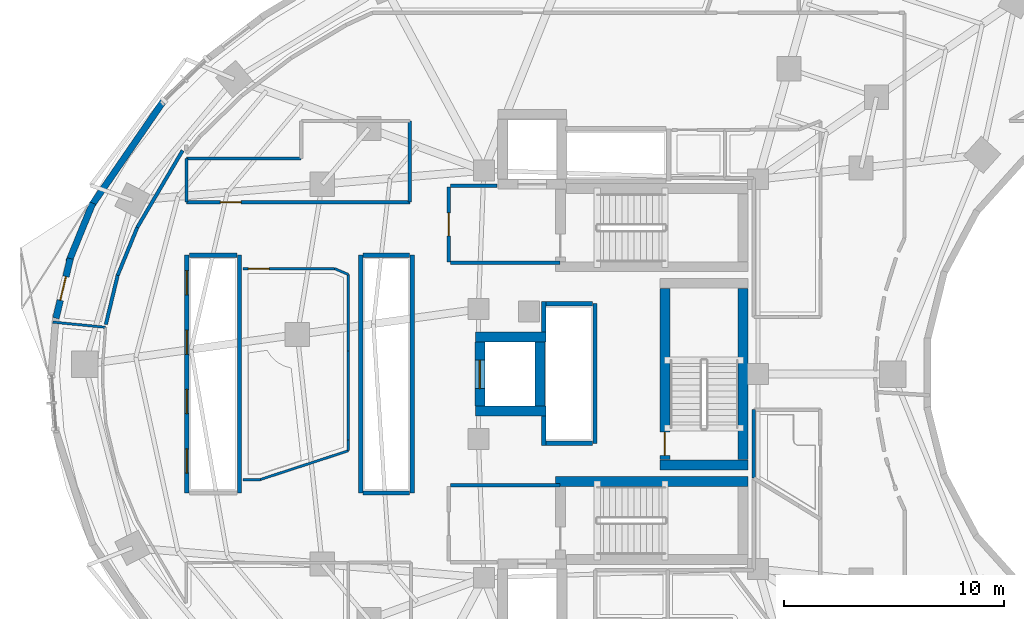
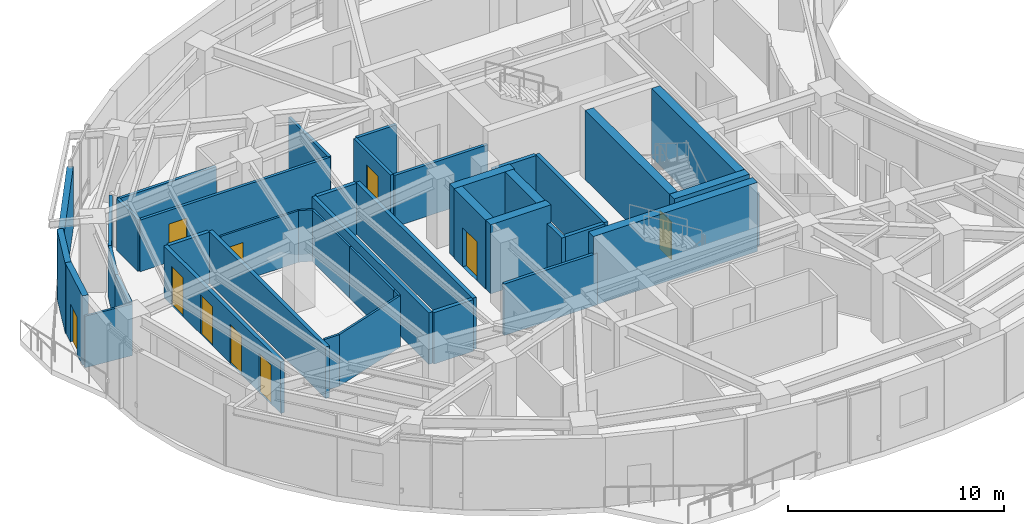
# One storey, part 9 of 15: 43 walls, 10 doors, 10 openings.
"""IFC4 building model written with IfcOpenShell, lengths in metres."""

from ifc_helpers import new_model, si_unit, direction, frame, frame_2d, origin, place, context, subcontext, project, spatial, rectangle, extrude, material, layer, layer_set, type_object, element, fill, save


model = new_model("IFC4")

# Units and contexts
model_context = context("Model", 3, precision=1e-05, world=origin(), true_north=direction((0.0, 1.0)))
body_context = subcontext(model_context, "Body", "Model", "MODEL_VIEW")
ifc_project = project(units=[si_unit("LENGTHUNIT", "METRE"), si_unit("AREAUNIT", "SQUARE_METRE"), si_unit("VOLUMEUNIT", "CUBIC_METRE"), si_unit("PLANEANGLEUNIT", "RADIAN"), si_unit("MASSUNIT", "GRAM", prefix="KILO")], contexts=[model_context])

# Site, building, storey
site_placement = place(None, origin())
site = spatial("IfcSite", under=ifc_project, at=site_placement, CompositionType="ELEMENT")
building_placement = place(site_placement, origin())
building = spatial("IfcBuilding", under=site, at=building_placement, Name="Korentha Bioscience Tower", CompositionType="ELEMENT")
storey_placement = place(building_placement, frame((0.0, 0.0, 94.199951171875)))
storey = spatial("IfcBuildingStorey", under=building, at=storey_placement, Name="L21", CompositionType="ELEMENT", Elevation=94.199951171875)

# Wall, opening, door
ifc_material_1 = material(Name="Double-Stud Acoustic Gypsum", Category="gypsum")
ifc_layer_1 = layer(ifc_material_1, 0.14990234375, Name="Double-Stud Acoustic Gypsum")
ifc_layer_set_1 = layer_set([ifc_layer_1], Name="Double-Stud Acoustic Gypsum (IW-L150)")
wall_type_1 = type_object("IfcWallType", Name="Acoustic Laboratory Partition Wall 150", PredefinedType="PARTITIONING", material=ifc_layer_set_1)
wall_1_placement = place(storey_placement, frame((21.739990234375, 34.81005859375, 0.0), z_axis=(0.0, 0.0, 1.0), x_axis=(-1.0, 0.0, 0.0)))
wall_1 = element("IfcWall", 1, at=wall_1_placement, inside=storey, type_object=wall_type_1, Name="L21 Epidemiology Modelling Studio 10 Entrance Wall", PredefinedType="PARTITIONING", context=body_context, shape_type="SweptSolid", body=[
    extrude(rectangle(XDim=10.14990234375, YDim=0.14990234375, at=frame_2d((5.074951171875, 0.0))), origin(), (0.0, 0.0, 1.0), 2.91015625),
])
opening_1_placement = place(wall_1_placement, frame((7.66162109375, 0.0, 0.0)))
opening_1 = element("IfcOpeningElement", 2, at=opening_1_placement, cuts=wall_1, Name="Opening ID-10R", PredefinedType="OPENING", context=body_context, shape_type="SweptSolid", body=[
    extrude(rectangle(XDim=0.949951171875, YDim=2.14990234375, at=frame_2d((0.47509765625, 1.074951171875))), frame((0.0, 0.08984375, 0.0), z_axis=(0.0, -1.0, 0.0), x_axis=(1.0, 0.0, 0.0)), (0.0, 0.0, 1.0), 0.1796875),
])
ifc_material_2 = material(Name="Phenolic Laminate Timber Core", Category="wood")
door_type_1 = type_object("IfcDoorType", Name="Laboratory Single Leaf Door 950x2150 Right", OperationType="SINGLE_SWING_RIGHT", PredefinedType="DOOR", material=ifc_material_2)
door_1_placement = place(opening_1_placement, origin())
door_1 = element("IfcDoor", 3, at=door_1_placement, inside=storey, type_object=door_type_1, Name="L21 Epidemiology Modelling Studio 10 Door", OperationType="SINGLE_SWING_RIGHT", OverallHeight=2.14990234375, OverallWidth=0.949951171875, PredefinedType="DOOR", context=body_context, shape_type="SweptSolid", body=[
    extrude(rectangle(XDim=0.949951171875, YDim=2.14990234375, at=frame_2d((0.47509765625, 1.074951171875))), frame((0.0, 0.02490234375, 0.0), z_axis=(0.0, -1.0, 0.0), x_axis=(1.0, 0.0, 0.0)), (0.0, 0.0, 1.0), 0.050048828125),
])
fill(opening_1, door_1)

# Walls
wall_2_placement = place(storey_placement, frame((21.739990234375, 38.498046875, 0.0), z_axis=(0.0, 0.0, 1.0), x_axis=(0.0, -1.0, 0.0)))
element("IfcWall", 4, at=wall_2_placement, inside=storey, type_object=wall_type_1, Name="L21 Interior Partition 082", PredefinedType="PARTITIONING", context=body_context, shape_type="SweptSolid", body=[
    extrude(rectangle(XDim=3.68798828125, YDim=0.14990234375, at=frame_2d((1.843994140625, 0.0))), origin(), (0.0, 0.0, 1.0), 2.91015625),
])
wall_3_placement = place(storey_placement, frame((11.590087890625, 34.81005859375, 0.0), z_axis=(0.0, 0.0, 1.0), x_axis=(0.0, 1.0, 0.0)))
element("IfcWall", 5, at=wall_3_placement, inside=storey, type_object=wall_type_1, Name="L21 Interior Partition 083", PredefinedType="PARTITIONING", context=body_context, shape_type="SweptSolid", body=[
    extrude(rectangle(XDim=1.97998046875, YDim=0.14990234375, at=frame_2d((0.989990234375, 0.0))), origin(), (0.0, 0.0, 1.0), 2.91015625),
])
wall_4_placement = place(storey_placement, frame((11.590087890625, 36.7900390625, 0.0), z_axis=(0.0, 0.0, 1.0), x_axis=(1.0, 0.0, 0.0)))
element("IfcWall", 6, at=wall_4_placement, inside=storey, type_object=wall_type_1, Name="L21 Interior Partition 084", PredefinedType="PARTITIONING", context=body_context, shape_type="SweptSolid", body=[
    extrude(rectangle(XDim=5.2099609375, YDim=0.14990234375, at=frame_2d((2.60498046875, 0.0))), origin(), (0.0, 0.0, 1.0), 2.91015625),
])

# Wall, opening, door
ifc_material_3 = material(Name="Fire-Rated Framed Glass", Category="glass")
ifc_layer_2 = layer(ifc_material_3, 0.110107421875, Name="Fire-Rated Framed Glass")
ifc_layer_set_2 = layer_set([ifc_layer_2], Name="Fire-Rated Framed Glass (IW-G110)")
wall_type_2 = type_object("IfcWallType", Name="Demountable Glazed Office Partition 110", PredefinedType="MOVABLE", material=ifc_layer_set_2)
wall_5_placement = place(storey_placement, frame((14.159912109375, 31.7900390625, 0.0), z_axis=(0.0, 0.0, 1.0), x_axis=(1.0, 0.0, 0.0)))
wall_5 = element("IfcWall", 7, at=wall_5_placement, inside=storey, type_object=wall_type_2, Name="L21 Senior Scientist Corner Office 11 Entrance Wall", PredefinedType="MOVABLE", context=body_context, shape_type="SweptSolid", body=[
    extrude(rectangle(XDim=4.158203125, YDim=0.110107421875, at=frame_2d((2.0791015625, 0.0))), origin(), (0.0, 0.0, 1.0), 2.91015625),
])
opening_2_placement = place(wall_5_placement, frame((0.239990234375, 0.0, 0.0)))
opening_2 = element("IfcOpeningElement", 8, at=opening_2_placement, cuts=wall_5, Name="Opening ID-10L", PredefinedType="OPENING", context=body_context, shape_type="SweptSolid", body=[
    extrude(rectangle(XDim=0.949951171875, YDim=2.14990234375, at=frame_2d((0.47509765625, 1.074951171875))), frame((0.0, 0.06982421875, 0.0), z_axis=(0.0, -1.0, 0.0), x_axis=(1.0, 0.0, 0.0)), (0.0, 0.0, 1.0), 0.139892578125),
])
door_type_2 = type_object("IfcDoorType", Name="Laboratory Single Leaf Door 950x2150 Left", OperationType="SINGLE_SWING_LEFT", PredefinedType="DOOR", material=ifc_material_2)
door_2_placement = place(opening_2_placement, origin())
door_2 = element("IfcDoor", 9, at=door_2_placement, inside=storey, type_object=door_type_2, Name="L21 Senior Scientist Corner Office 11 Door", OperationType="SINGLE_SWING_LEFT", OverallHeight=2.14990234375, OverallWidth=0.949951171875, PredefinedType="DOOR", context=body_context, shape_type="SweptSolid", body=[
    extrude(rectangle(XDim=0.949951171875, YDim=2.14990234375, at=frame_2d((0.47509765625, 1.074951171875))), frame((0.0, 0.02490234375, 0.0), z_axis=(0.0, -1.0, 0.0), x_axis=(1.0, 0.0, 0.0)), (0.0, 0.0, 1.0), 0.050048828125),
])
fill(opening_2, door_2)

# Walls
wall_6_placement = place(storey_placement, frame((5.521484375, 29.359619140625, 0.0), z_axis=(0.0, 0.0, 1.0), x_axis=(0.99523083929, -0.097547816614, 0.0)))
element("IfcWall", 10, at=wall_6_placement, inside=storey, type_object=wall_type_2, Name="L21 Interior Partition 019", PredefinedType="MOVABLE", context=body_context, shape_type="SweptSolid", body=[
    extrude(rectangle(XDim=2.41015625, YDim=0.110107421875, at=frame_2d((1.205078125, 0.0))), origin(), (0.0, 0.0, 1.0), 2.91015625),
])
wall_7_placement = place(storey_placement, frame((18.318115234375, 31.7900390625, 0.0), z_axis=(0.0, 0.0, 1.0), x_axis=(0.920523463189, -0.390687283795, 0.0)))
element("IfcWall", 11, at=wall_7_placement, inside=storey, type_object=wall_type_2, Name="L21 Interior Partition 087", PredefinedType="MOVABLE", context=body_context, shape_type="SweptSolid", body=[
    extrude(rectangle(XDim=0.684326171875, YDim=0.110107421875, at=frame_2d((0.34228515625, 0.0))), origin(), (0.0, 0.0, 1.0), 2.91015625),
])
wall_8_placement = place(storey_placement, frame((18.947998046875, 31.5224609375, 0.0), z_axis=(0.0, 0.0, 1.0), x_axis=(0.0, -1.0, 0.0)))
element("IfcWall", 12, at=wall_8_placement, inside=storey, type_object=wall_type_2, Name="L21 Interior Partition 088", PredefinedType="MOVABLE", context=body_context, shape_type="SweptSolid", body=[
    extrude(rectangle(XDim=3.47509765625, YDim=0.110107421875, at=frame_2d((1.737548828125, 0.0))), origin(), (0.0, 0.0, 1.0), 2.91015625),
])
wall_9_placement = place(storey_placement, frame((18.947998046875, 28.04296875, 0.0), z_axis=(0.0, 0.0, 1.0), x_axis=(0.0, -1.0, 0.0)))
element("IfcWall", 13, at=wall_9_placement, inside=storey, type_object=wall_type_2, Name="L21 Interior Partition 089", PredefinedType="MOVABLE", context=body_context, shape_type="SweptSolid", body=[
    extrude(rectangle(XDim=4.040771484375, YDim=0.110107421875, at=frame_2d((2.0205078125, 0.0))), origin(), (0.0, 0.0, 1.0), 2.91015625),
])
wall_10_placement = place(storey_placement, frame((18.947998046875, 23.997802734375, 0.0), z_axis=(0.0, 0.0, 1.0), x_axis=(0.0, -1.0, 0.0)))
element("IfcWall", 14, at=wall_10_placement, inside=storey, type_object=wall_type_2, Name="L21 Interior Partition 090", PredefinedType="MOVABLE", context=body_context, shape_type="SweptSolid", body=[
    extrude(rectangle(XDim=0.479736328125, YDim=0.110107421875, at=frame_2d((0.23974609375, 0.0))), origin(), (0.0, 0.0, 1.0), 2.91015625),
])
wall_11_placement = place(storey_placement, frame((18.947998046875, 23.517822265625, 0.0), z_axis=(0.0, 0.0, 1.0), x_axis=(-0.950522660163, -0.31065523095, 0.0)))
element("IfcWall", 15, at=wall_11_placement, inside=storey, type_object=wall_type_2, Name="L21 Interior Partition 091", PredefinedType="MOVABLE", context=body_context, shape_type="SweptSolid", body=[
    extrude(rectangle(XDim=4.2099609375, YDim=0.110107421875, at=frame_2d((2.10498046875, 0.0))), origin(), (0.0, 0.0, 1.0), 2.91015625),
])
wall_12_placement = place(storey_placement, frame((14.9462890625, 22.2099609375, 0.0), z_axis=(0.0, 0.0, 1.0), x_axis=(-1.0, 0.0, 0.0)))
element("IfcWall", 16, at=wall_12_placement, inside=storey, type_object=wall_type_2, Name="L21 Interior Partition 092", PredefinedType="MOVABLE", context=body_context, shape_type="SweptSolid", body=[
    extrude(rectangle(XDim=0.786376953125, YDim=0.110107421875, at=frame_2d((0.39306640625, 0.0))), origin(), (0.0, 0.0, 1.0), 2.91015625),
])

# Wall, opening, door
ifc_material_4 = material(Name="Gypsum-Clad Steel Stud", Category="steel")
ifc_layer_3 = layer(ifc_material_4, 0.159912109375, Name="Gypsum-Clad Steel Stud")
ifc_layer_set_3 = layer_set([ifc_layer_3], Name="Gypsum-Clad Steel Stud (IW-C160)")
wall_type_3 = type_object("IfcWallType", Name="Fire-Rated Corridor Partition Wall 160", PredefinedType="PARTITIONING", material=ifc_layer_set_3)
wall_13_placement = place(storey_placement, frame((23.5, 32.10009765625, 0.0), z_axis=(0.0, 0.0, 1.0), x_axis=(0.0, 1.0, 0.0)))
wall_13 = element("IfcWall", 17, at=wall_13_placement, inside=storey, type_object=wall_type_3, Name="L21 FFLN-CW Rated Enclosure Wall", PredefinedType="PARTITIONING", context=body_context, shape_type="SweptSolid", body=[
    extrude(rectangle(XDim=3.39990234375, YDim=0.159912109375, at=frame_2d((1.699951171875, 0.0))), origin(), (0.0, 0.0, 1.0), 2.91015625),
])
opening_3_placement = place(wall_13_placement, frame((1.175048828125, 0.0, 0.0)))
opening_3 = element("IfcOpeningElement", 18, at=opening_3_placement, cuts=wall_13, Name="Opening FD-90L", PredefinedType="OPENING", context=body_context, shape_type="SweptSolid", body=[
    extrude(rectangle(XDim=1.050048828125, YDim=2.14990234375, at=frame_2d((0.52490234375, 1.074951171875))), frame((0.0, 0.0947265625, 0.0), z_axis=(0.0, -1.0, 0.0), x_axis=(1.0, 0.0, 0.0)), (0.0, 0.0, 1.0), 0.189697265625),
])
ifc_material_5 = material(Name="Powder-Coated Fire-Rated Steel", Category="steel")
door_type_3 = type_object("IfcDoorType", Name="Stairwell Fire Exit Door 1050x2150 Left", OperationType="SINGLE_SWING_LEFT", PredefinedType="DOOR", material=ifc_material_5)
door_3_placement = place(opening_3_placement, origin())
door_3 = element("IfcDoor", 19, at=door_3_placement, inside=storey, type_object=door_type_3, Name="L21 North Firefighting Lobby Door", OperationType="SINGLE_SWING_LEFT", OverallHeight=2.14990234375, OverallWidth=1.050048828125, PredefinedType="DOOR", context=body_context, shape_type="SweptSolid", body=[
    extrude(rectangle(XDim=1.050048828125, YDim=2.14990234375, at=frame_2d((0.52490234375, 1.074951171875))), frame((0.0, 0.02490234375, 0.0), z_axis=(0.0, -1.0, 0.0), x_axis=(1.0, 0.0, 0.0)), (0.0, 0.0, 1.0), 0.050048828125),
])
fill(opening_3, door_3)

# Walls
wall_14_placement = place(storey_placement, frame((23.580078125, 32.050048828125, 0.0), z_axis=(0.0, 0.0, 1.0), x_axis=(1.0, 0.0, 0.0)))
element("IfcWall", 20, at=wall_14_placement, inside=storey, type_object=wall_type_3, Name="L21 Firefighting Lobby Return Wall FFLN-S", PredefinedType="PARTITIONING", context=body_context, shape_type="SweptSolid", body=[
    extrude(rectangle(XDim=4.969970703125, YDim=0.159912109375, at=frame_2d((2.48486328125, 0.0))), origin(), (0.0, 0.0, 1.0), 2.91015625),
])
wall_15_placement = place(storey_placement, frame((23.580078125, 35.550048828125, 0.0), z_axis=(0.0, 0.0, 1.0), x_axis=(1.0, 0.0, 0.0)))
element("IfcWall", 21, at=wall_15_placement, inside=storey, type_object=wall_type_3, Name="L21 Firefighting Lobby Return Wall FFLN-N", PredefinedType="PARTITIONING", context=body_context, shape_type="SweptSolid", body=[
    extrude(rectangle(XDim=2.119873046875, YDim=0.159912109375, at=frame_2d((1.06005859375, 0.0))), origin(), (0.0, 0.0, 1.0), 2.91015625),
])
wall_16_placement = place(storey_placement, frame((23.580078125, 21.949951171875, 0.0), z_axis=(0.0, 0.0, 1.0), x_axis=(1.0, 0.0, 0.0)))
element("IfcWall", 22, at=wall_16_placement, inside=storey, type_object=wall_type_3, Name="L21 Firefighting Lobby Return Wall FFLS-N", PredefinedType="PARTITIONING", context=body_context, shape_type="SweptSolid", body=[
    extrude(rectangle(XDim=4.969970703125, YDim=0.159912109375, at=frame_2d((2.48486328125, 0.0))), origin(), (0.0, 0.0, 1.0), 2.91015625),
])
wall_17_placement = place(storey_placement, frame((37.360107421875, 22.275634765625, 0.0), z_axis=(0.0, 0.0, 1.0), x_axis=(0.0, 1.0, 0.0)))
element("IfcWall", 23, at=wall_17_placement, inside=storey, type_object=wall_type_3, Name="L21 Interior Partition 051", PredefinedType="PARTITIONING", context=body_context, shape_type="SweptSolid", body=[
    extrude(rectangle(XDim=3.1142578125, YDim=0.159912109375, at=frame_2d((1.55712890625, 0.0))), origin(), (0.0, 0.0, 1.0), 2.91015625),
])
wall_18_placement = place(storey_placement, frame((11.418701171875, 37.154296875, 0.0), z_axis=(0.0, 0.0, 1.0), x_axis=(-0.508183269016, -0.861248956511, 0.0)))
element("IfcWall", 24, at=wall_18_placement, inside=storey, type_object=wall_type_3, Name="L21 Interior Partition 078", PredefinedType="PARTITIONING", context=body_context, shape_type="SweptSolid", body=[
    extrude(rectangle(XDim=4.052734375, YDim=0.159912109375, at=frame_2d((2.0263671875, 0.0))), origin(), (0.0, 0.0, 1.0), 2.91015625),
])
wall_19_placement = place(storey_placement, frame((9.3583984375, 33.66259765625, 0.0), z_axis=(0.0, 0.0, 1.0), x_axis=(-0.378306283753, -0.925680482495, 0.0)))
element("IfcWall", 25, at=wall_19_placement, inside=storey, type_object=wall_type_3, Name="L21 Interior Partition 079", PredefinedType="PARTITIONING", context=body_context, shape_type="SweptSolid", body=[
    extrude(rectangle(XDim=2.358154296875, YDim=0.159912109375, at=frame_2d((1.17919921875, 0.0))), origin(), (0.0, 0.0, 1.0), 2.91015625),
])
wall_20_placement = place(storey_placement, frame((8.4658203125, 31.478515625, 0.0), z_axis=(0.0, 0.0, 1.0), x_axis=(-0.233675196412, -0.972314713754, 0.0)))
element("IfcWall", 26, at=wall_20_placement, inside=storey, type_object=wall_type_3, Name="L21 Interior Partition 080", PredefinedType="PARTITIONING", context=body_context, shape_type="SweptSolid", body=[
    extrude(rectangle(XDim=2.291259765625, YDim=0.159912109375, at=frame_2d((1.1455078125, 0.0))), origin(), (0.0, 0.0, 1.0), 2.91015625),
])

# Wall, opening, door
ifc_material_6 = material(Name="Honed Limestone Precast Concrete C40", Category="masonry")
ifc_layer_4 = layer(ifc_material_6, 0.300048828125, Name="Honed Limestone Precast Concrete C40")
ifc_layer_set_4 = layer_set([ifc_layer_4], Name="Honed Limestone Precast Concrete C40 (EW-ST300)")
wall_type_4 = type_object("IfcWallType", Name="Honed Limestone Cavity Spandrel Wall 300", PredefinedType="STANDARD", material=ifc_layer_set_4)
wall_21_placement = place(storey_placement, frame((6.316162109375, 32.248046875, 0.0), z_axis=(0.0, 0.0, 1.0), x_axis=(-0.233687533313, -0.972311748759, 0.0)))
wall_21 = element("IfcWall", 27, at=wall_21_placement, inside=storey, type_object=wall_type_4, Name="L21 Balcony Threshold Wall 02", PredefinedType="STANDARD", context=body_context, shape_type="SweptSolid", body=[
    extrude(rectangle(XDim=2.788330078125, YDim=0.300048828125, at=frame_2d((1.39404296875, 0.0))), origin(), (0.0, 0.0, 1.0), 3.900146484375),
])
opening_4_placement = place(wall_21_placement, frame((0.84423828125, 0.0, 0.0)))
opening_4 = element("IfcOpeningElement", 28, at=opening_4_placement, cuts=wall_21, Name="Opening BD-11R", PredefinedType="OPENING", context=body_context, shape_type="SweptSolid", body=[
    extrude(rectangle(XDim=1.10009765625, YDim=2.14990234375, at=frame_2d((0.550048828125, 1.074951171875))), frame((0.0, 0.1650390625, 0.0), z_axis=(0.0, -1.0, 0.0), x_axis=(1.0, 0.0, 0.0)), (0.0, 0.0, 1.0), 0.329833984375),
])
ifc_material_7 = material(Name="Thermally Broken Glazed Aluminium", Category="aluminium")
door_type_4 = type_object("IfcDoorType", Name="Balcony Terrace Glazed Door 1100x2150 Right", OperationType="SINGLE_SWING_RIGHT", PredefinedType="DOOR", material=ifc_material_7)
door_4_placement = place(opening_4_placement, origin())
door_4 = element("IfcDoor", 29, at=door_4_placement, inside=storey, type_object=door_type_4, Name="L21 Balcony Access Door 02", OperationType="SINGLE_SWING_RIGHT", OverallHeight=2.14990234375, OverallWidth=1.10009765625, PredefinedType="DOOR", context=body_context, shape_type="SweptSolid", body=[
    extrude(rectangle(XDim=1.10009765625, YDim=2.14990234375, at=frame_2d((0.550048828125, 1.074951171875))), frame((0.0, 0.02490234375, 0.0), z_axis=(0.0, -1.0, 0.0), x_axis=(1.0, 0.0, 0.0)), (0.0, 0.0, 1.0), 0.050048828125),
])
fill(opening_4, door_4)

# Walls
wall_22_placement = place(storey_placement, frame((10.54833984375, 39.400390625, 0.0), z_axis=(0.0, 0.0, 1.0), x_axis=(-0.566825798999, -0.823837674296, 0.0)))
element("IfcWall", 30, at=wall_22_placement, inside=storey, type_object=wall_type_4, Name="L21 Limestone Perimeter Closure Wall 14", PredefinedType="STANDARD", context=body_context, shape_type="SweptSolid", body=[
    extrude(rectangle(XDim=5.825927734375, YDim=0.300048828125, at=frame_2d((2.9130859375, 0.0))), origin(), (0.0, 0.0, 1.0), 3.469970703125),
])
wall_23_placement = place(storey_placement, frame((7.336181640625, 34.76708984375, 0.0), z_axis=(0.0, 0.0, 1.0), x_axis=(-0.378421675944, -0.925633315722, 0.0)))
element("IfcWall", 31, at=wall_23_placement, inside=storey, type_object=wall_type_4, Name="L21 Limestone Perimeter Closure Wall 16", PredefinedType="STANDARD", context=body_context, shape_type="SweptSolid", body=[
    extrude(rectangle(XDim=2.88134765625, YDim=0.300048828125, at=frame_2d((1.440673828125, 0.0))), origin(), (0.0, 0.0, 1.0), 3.900146484375),
])

# Wall, openings, doors
ifc_material_8 = material(Name="Autoclaved Aerated Concrete Block C25", Category="concrete")
ifc_layer_5 = layer(ifc_material_8, 0.199951171875, Name="Autoclaved Aerated Concrete Block C25")
ifc_layer_set_5 = layer_set([ifc_layer_5], Name="Autoclaved Aerated Concrete Block C25 (IW-S200)")
wall_type_5 = type_object("IfcWallType", Name="Lift and Riser Shaft Enclosure Wall 200", PredefinedType="PARTITIONING", material=ifc_layer_set_5)
wall_24_placement = place(storey_placement, frame((11.60009765625, 21.60009765625, 0.0), z_axis=(0.0, 0.0, 1.0), x_axis=(0.0, 1.0, 0.0)))
wall_24 = element("IfcWall", 32, at=wall_24_placement, inside=storey, type_object=wall_type_5, Name="L21 Lift Bank LOW Shaft Wall -X", PredefinedType="PARTITIONING", context=body_context, shape_type="SweptSolid", body=[
    extrude(rectangle(XDim=10.7998046875, YDim=0.199951171875, at=frame_2d((5.39990234375, 0.0))), origin(), (0.0, 0.0, 1.0), 2.91015625),
])
opening_5_placement = place(wall_24_placement, frame((0.89990234375, 0.0, 0.0)))
opening_5 = element("IfcOpeningElement", 33, at=opening_5_placement, cuts=wall_24, Name="Opening LD-11", PredefinedType="OPENING", context=body_context, shape_type="SweptSolid", body=[
    extrude(rectangle(XDim=1.10009765625, YDim=2.199951171875, at=frame_2d((0.550048828125, 1.10009765625))), frame((0.0, 0.11474609375, 0.0), z_axis=(0.0, -1.0, 0.0), x_axis=(1.0, 0.0, 0.0)), (0.0, 0.0, 1.0), 0.229736328125),
])
opening_6_placement = place(wall_24_placement, frame((3.60009765625, 0.0, 0.0)))
opening_6 = element("IfcOpeningElement", 34, at=opening_6_placement, cuts=wall_24, Name="Opening LD-11", PredefinedType="OPENING", context=body_context, shape_type="SweptSolid", body=[
    extrude(rectangle(XDim=1.10009765625, YDim=2.199951171875, at=frame_2d((0.550048828125, 1.10009765625))), frame((0.0, 0.11474609375, 0.0), z_axis=(0.0, -1.0, 0.0), x_axis=(1.0, 0.0, 0.0)), (0.0, 0.0, 1.0), 0.229736328125),
])
opening_7_placement = place(wall_24_placement, frame((6.300048828125, 0.0, 0.0)))
opening_7 = element("IfcOpeningElement", 35, at=opening_7_placement, cuts=wall_24, Name="Opening LD-11", PredefinedType="OPENING", context=body_context, shape_type="SweptSolid", body=[
    extrude(rectangle(XDim=1.10009765625, YDim=2.199951171875, at=frame_2d((0.550048828125, 1.10009765625))), frame((0.0, 0.11474609375, 0.0), z_axis=(0.0, -1.0, 0.0), x_axis=(1.0, 0.0, 0.0)), (0.0, 0.0, 1.0), 0.229736328125),
])
opening_8_placement = place(wall_24_placement, frame((9.0, 0.0, 0.0)))
opening_8 = element("IfcOpeningElement", 36, at=opening_8_placement, cuts=wall_24, Name="Opening LD-11", PredefinedType="OPENING", context=body_context, shape_type="SweptSolid", body=[
    extrude(rectangle(XDim=1.10009765625, YDim=2.199951171875, at=frame_2d((0.550048828125, 1.10009765625))), frame((0.0, 0.11474609375, 0.0), z_axis=(0.0, -1.0, 0.0), x_axis=(1.0, 0.0, 0.0)), (0.0, 0.0, 1.0), 0.229736328125),
])
ifc_material_9 = material(Name="Brushed Stainless Steel 304", Category="steel")
door_type_5 = type_object("IfcDoorType", Name="Passenger Lift Sliding Landing Door 1100x2200", OperationType="DOUBLE_DOOR_SLIDING", PredefinedType="DOOR", material=ifc_material_9)
door_5_placement = place(opening_5_placement, origin())
door_5 = element("IfcDoor", 37, at=door_5_placement, inside=storey, type_object=door_type_5, Name="L21 PL-L1 Sliding Lift Landing Door", OperationType="DOUBLE_DOOR_SLIDING", OverallHeight=2.199951171875, OverallWidth=1.10009765625, PredefinedType="DOOR", context=body_context, shape_type="SweptSolid", body=[
    extrude(rectangle(XDim=1.10009765625, YDim=2.199951171875, at=frame_2d((0.550048828125, 1.10009765625))), frame((0.0, 0.02490234375, 0.0), z_axis=(0.0, -1.0, 0.0), x_axis=(1.0, 0.0, 0.0)), (0.0, 0.0, 1.0), 0.050048828125),
])
fill(opening_5, door_5)
door_6_placement = place(opening_6_placement, origin())
door_6 = element("IfcDoor", 38, at=door_6_placement, inside=storey, type_object=door_type_5, Name="L21 PL-L2 Sliding Lift Landing Door", OperationType="DOUBLE_DOOR_SLIDING", OverallHeight=2.199951171875, OverallWidth=1.10009765625, PredefinedType="DOOR", context=body_context, shape_type="SweptSolid", body=[
    extrude(rectangle(XDim=1.10009765625, YDim=2.199951171875, at=frame_2d((0.550048828125, 1.10009765625))), frame((0.0, 0.02490234375, 0.0), z_axis=(0.0, -1.0, 0.0), x_axis=(1.0, 0.0, 0.0)), (0.0, 0.0, 1.0), 0.050048828125),
])
fill(opening_6, door_6)
door_7_placement = place(opening_7_placement, origin())
door_7 = element("IfcDoor", 39, at=door_7_placement, inside=storey, type_object=door_type_5, Name="L21 PL-L3 Sliding Lift Landing Door", OperationType="DOUBLE_DOOR_SLIDING", OverallHeight=2.199951171875, OverallWidth=1.10009765625, PredefinedType="DOOR", context=body_context, shape_type="SweptSolid", body=[
    extrude(rectangle(XDim=1.10009765625, YDim=2.199951171875, at=frame_2d((0.550048828125, 1.10009765625))), frame((0.0, 0.02490234375, 0.0), z_axis=(0.0, -1.0, 0.0), x_axis=(1.0, 0.0, 0.0)), (0.0, 0.0, 1.0), 0.050048828125),
])
fill(opening_7, door_7)
door_8_placement = place(opening_8_placement, origin())
door_8 = element("IfcDoor", 40, at=door_8_placement, inside=storey, type_object=door_type_5, Name="L21 PL-L4 Sliding Lift Landing Door", OperationType="DOUBLE_DOOR_SLIDING", OverallHeight=2.199951171875, OverallWidth=1.10009765625, PredefinedType="DOOR", context=body_context, shape_type="SweptSolid", body=[
    extrude(rectangle(XDim=1.10009765625, YDim=2.199951171875, at=frame_2d((0.550048828125, 1.10009765625))), frame((0.0, 0.02490234375, 0.0), z_axis=(0.0, -1.0, 0.0), x_axis=(1.0, 0.0, 0.0)), (0.0, 0.0, 1.0), 0.050048828125),
])
fill(opening_8, door_8)

# Walls
wall_25_placement = place(storey_placement, frame((14.0, 21.60009765625, 0.0), z_axis=(0.0, 0.0, 1.0), x_axis=(0.0, 1.0, 0.0)))
element("IfcWall", 41, at=wall_25_placement, inside=storey, type_object=wall_type_5, Name="L21 Lift Bank LOW Shaft Wall +X", PredefinedType="PARTITIONING", context=body_context, shape_type="SweptSolid", body=[
    extrude(rectangle(XDim=10.7998046875, YDim=0.199951171875, at=frame_2d((5.39990234375, 0.0))), origin(), (0.0, 0.0, 1.0), 2.91015625),
])
wall_26_placement = place(storey_placement, frame((11.719970703125, 32.39990234375, 0.0), z_axis=(0.0, 0.0, 1.0), x_axis=(1.0, 0.0, 0.0)))
element("IfcWall", 42, at=wall_26_placement, inside=storey, type_object=wall_type_5, Name="L21 Lift Bank LOW Shaft Wall +Y", PredefinedType="PARTITIONING", context=body_context, shape_type="SweptSolid", body=[
    extrude(rectangle(XDim=2.159912109375, YDim=0.199951171875, at=frame_2d((1.080078125, 0.0))), origin(), (0.0, 0.0, 1.0), 2.91015625),
])
for number, where, z_axis, x_axis, name in (
    (43, (19.5, 21.60009765625, 0.0), (0.0, 0.0, 1.0), (0.0, 1.0, 0.0), "L21 Lift Bank MID Shaft Wall -X"),
    (44, (21.85009765625, 21.60009765625, 0.0), (0.0, 0.0, 1.0), (0.0, 1.0, 0.0), "L21 Lift Bank MID Shaft Wall +X"),
):
    element("IfcWall", number, at=place(storey_placement, frame(where, z_axis=z_axis, x_axis=x_axis)), inside=storey, type_object=wall_type_5, Name=name, PredefinedType="PARTITIONING", context=body_context, shape_type="SweptSolid", body=[
        extrude(rectangle(XDim=10.7998046875, YDim=0.199951171875, at=frame_2d((5.39990234375, 0.0))), origin(), (0.0, 0.0, 1.0), 2.91015625),
    ])
for number, where, z_axis, x_axis, name in (
    (45, (19.6201171875, 21.60009765625, 0.0), (0.0, 0.0, 1.0), (1.0, 0.0, 0.0), "L21 Lift Bank MID Shaft Wall -Y"),
    (46, (19.6201171875, 32.39990234375, 0.0), (0.0, 0.0, 1.0), (1.0, 0.0, 0.0), "L21 Lift Bank MID Shaft Wall +Y"),
):
    element("IfcWall", number, at=place(storey_placement, frame(where, z_axis=z_axis, x_axis=x_axis)), inside=storey, type_object=wall_type_5, Name=name, PredefinedType="PARTITIONING", context=body_context, shape_type="SweptSolid", body=[
        extrude(rectangle(XDim=2.10986328125, YDim=0.199951171875, at=frame_2d((1.054931640625, 0.0))), origin(), (0.0, 0.0, 1.0), 2.91015625),
    ])
wall_27_placement = place(storey_placement, frame((27.830078125, 23.75, 0.0), z_axis=(0.0, 0.0, 1.0), x_axis=(0.0, 1.0, 0.0)))
element("IfcWall", 47, at=wall_27_placement, inside=storey, type_object=wall_type_5, Name="L21 Lift Bank HIGH Shaft Wall -XS", PredefinedType="PARTITIONING", context=body_context, shape_type="SweptSolid", body=[
    extrude(rectangle(XDim=1.341064453125, YDim=0.199951171875, at=frame_2d((0.67041015625, 0.0))), origin(), (0.0, 0.0, 1.0), 2.91015625),
])
wall_28_placement = place(storey_placement, frame((27.830078125, 28.908935546875, 0.0), z_axis=(0.0, 0.0, 1.0), x_axis=(0.0, 1.0, 0.0)))
element("IfcWall", 48, at=wall_28_placement, inside=storey, type_object=wall_type_5, Name="L21 Lift Bank HIGH Shaft Wall -XN", PredefinedType="PARTITIONING", context=body_context, shape_type="SweptSolid", body=[
    extrude(rectangle(XDim=1.39111328125, YDim=0.199951171875, at=frame_2d((0.695556640625, 0.0))), origin(), (0.0, 0.0, 1.0), 2.91015625),
])
wall_29_placement = place(storey_placement, frame((30.14990234375, 23.85009765625, 0.0), z_axis=(0.0, 0.0, 1.0), x_axis=(0.0, 1.0, 0.0)))
element("IfcWall", 49, at=wall_29_placement, inside=storey, type_object=wall_type_5, Name="L21 Lift Bank HIGH Shaft Wall +X", PredefinedType="PARTITIONING", context=body_context, shape_type="SweptSolid", body=[
    extrude(rectangle(XDim=6.349853515625, YDim=0.199951171875, at=frame_2d((3.1748046875, 0.0))), origin(), (0.0, 0.0, 1.0), 2.91015625),
])
for number, where, z_axis, x_axis, name in (
    (50, (27.93408203125, 23.85009765625, 0.0), (0.0, 0.0, 1.0), (1.0, 0.0, 0.0), "L21 Lift Bank HIGH Shaft Wall -Y"),
    (51, (27.93408203125, 30.199951171875, 0.0), (0.0, 0.0, 1.0), (1.0, 0.0, 0.0), "L21 Lift Bank HIGH Shaft Wall +Y"),
):
    element("IfcWall", number, at=place(storey_placement, frame(where, z_axis=z_axis, x_axis=x_axis)), inside=storey, type_object=wall_type_5, Name=name, PredefinedType="PARTITIONING", context=body_context, shape_type="SweptSolid", body=[
        extrude(rectangle(XDim=2.095947265625, YDim=0.199951171875, at=frame_2d((1.0478515625, 0.0))), origin(), (0.0, 0.0, 1.0), 2.91015625),
    ])
ifc_material_10 = material(Name="Concrete C80", Category="concrete")
ifc_layer_6 = layer(ifc_material_10, 0.449951171875, Name="Concrete C80")
ifc_layer_set_6 = layer_set([ifc_layer_6], Name="Concrete C80 (CW-C80)")
wall_type_6 = type_object("IfcWallType", Name="Lower Core Shear Wall 450", PredefinedType="SHEAR", material=ifc_layer_set_6)
wall_30_placement = place(storey_placement, frame((28.35009765625, 22.125, 0.0), z_axis=(0.0, 0.0, 1.0), x_axis=(1.0, 0.0, 0.0)))
element("IfcWall", 52, at=wall_30_placement, inside=storey, type_object=wall_type_6, Name="L21 Core Shear Wall ST2-N", PredefinedType="SHEAR", context=body_context, shape_type="SweptSolid", body=[
    extrude(rectangle(XDim=8.75, YDim=0.449951171875, at=frame_2d((4.375, 0.0))), origin(), (0.0, 0.0, 1.0), 3.900146484375),
])
wall_31_placement = place(storey_placement, frame((33.10009765625, 22.875, 0.0), z_axis=(0.0, 0.0, 1.0), x_axis=(1.0, 0.0, 0.0)))
element("IfcWall", 53, at=wall_31_placement, inside=storey, type_object=wall_type_6, Name="L21 Core Shear Wall ST3-S", PredefinedType="SHEAR", context=body_context, shape_type="SweptSolid", body=[
    extrude(rectangle(XDim=4.0, YDim=0.449951171875, at=frame_2d((2.0, 0.0))), origin(), (0.0, 0.0, 1.0), 3.900146484375),
])
wall_32_placement = place(storey_placement, frame((36.875, 23.110107421875, 0.0), z_axis=(0.0, 0.0, 1.0), x_axis=(0.0, 1.0, 0.0)))
element("IfcWall", 54, at=wall_32_placement, inside=storey, type_object=wall_type_6, Name="L21 Core Shear Wall ST3-E", PredefinedType="SHEAR", context=body_context, shape_type="SweptSolid", body=[
    extrude(rectangle(XDim=7.77978515625, YDim=0.449951171875, at=frame_2d((3.889892578125, 0.0))), origin(), (0.0, 0.0, 1.0), 3.900146484375),
])

# Wall, opening, door
wall_33_placement = place(storey_placement, frame((33.324951171875, 23.110107421875, 0.0), z_axis=(0.0, 0.0, 1.0), x_axis=(0.0, 1.0, 0.0)))
wall_33 = element("IfcWall", 55, at=wall_33_placement, inside=storey, type_object=wall_type_6, Name="L21 Core Shear Wall ST3-W", PredefinedType="SHEAR", context=body_context, shape_type="SweptSolid", body=[
    extrude(rectangle(XDim=7.77978515625, YDim=0.449951171875, at=frame_2d((3.889892578125, 0.0))), origin(), (0.0, 0.0, 1.0), 3.900146484375),
])
opening_9_placement = place(wall_33_placement, frame((0.199951171875, 0.0, 0.0)))
opening_9 = element("IfcOpeningElement", 56, at=opening_9_placement, cuts=wall_33, Name="Opening FD-90L", PredefinedType="OPENING", context=body_context, shape_type="SweptSolid", body=[
    extrude(rectangle(XDim=1.050048828125, YDim=2.14990234375, at=frame_2d((0.52490234375, 1.074951171875))), frame((0.0, 0.23974609375, 0.0), z_axis=(0.0, -1.0, 0.0), x_axis=(1.0, 0.0, 0.0)), (0.0, 0.0, 1.0), 0.479736328125),
])
door_9_placement = place(opening_9_placement, origin())
door_9 = element("IfcDoor", 57, at=door_9_placement, inside=storey, type_object=door_type_3, Name="L21 ST-3 Fire Exit Stair Door", OperationType="SINGLE_SWING_LEFT", OverallHeight=2.14990234375, OverallWidth=1.050048828125, PredefinedType="DOOR", context=body_context, shape_type="SweptSolid", body=[
    extrude(rectangle(XDim=1.050048828125, YDim=2.14990234375, at=frame_2d((0.52490234375, 1.074951171875))), frame((0.0, 0.02490234375, 0.0), z_axis=(0.0, -1.0, 0.0), x_axis=(1.0, 0.0, 0.0)), (0.0, 0.0, 1.0), 0.050048828125),
])
fill(opening_9, door_9)

# Walls
for number, where, z_axis, x_axis, name in (
    (58, (24.719970703125, 28.679931640625, 0.0), (0.0, 0.0, 1.0), (1.0, 0.0, 0.0), "L21 Core Shear Wall SVL1-N"),
    (59, (24.719970703125, 25.320068359375, 0.0), (0.0, 0.0, 1.0), (1.0, 0.0, 0.0), "L21 Core Shear Wall SVL1-S"),
):
    element("IfcWall", number, at=place(storey_placement, frame(where, z_axis=z_axis, x_axis=x_axis)), inside=storey, type_object=wall_type_6, Name=name, PredefinedType="SHEAR", context=body_context, shape_type="SweptSolid", body=[
        extrude(rectangle(XDim=3.2099609375, YDim=0.449951171875, at=frame_2d((1.60498046875, 0.0))), origin(), (0.0, 0.0, 1.0), 3.900146484375),
    ])

# Wall, opening, door
wall_34_placement = place(storey_placement, frame((24.919921875, 25.547119140625, 0.0), z_axis=(0.0, 0.0, 1.0), x_axis=(0.0, 1.0, 0.0)))
wall_34 = element("IfcWall", 60, at=wall_34_placement, inside=storey, type_object=wall_type_6, Name="L21 Core Shear Wall SVL1-W", PredefinedType="SHEAR", context=body_context, shape_type="SweptSolid", body=[
    extrude(rectangle(XDim=2.90576171875, YDim=0.449951171875, at=frame_2d((1.452880859375, 0.0))), origin(), (0.0, 0.0, 1.0), 3.900146484375),
])
opening_10_placement = place(wall_34_placement, frame((0.7900390625, 0.0, 0.0)))
opening_10 = element("IfcOpeningElement", 61, at=opening_10_placement, cuts=wall_34, Name="Opening LD-13", PredefinedType="OPENING", context=body_context, shape_type="SweptSolid", body=[
    extrude(rectangle(XDim=1.300048828125, YDim=2.199951171875, at=frame_2d((0.64990234375, 1.10009765625))), frame((0.0, 0.23974609375, 0.0), z_axis=(0.0, -1.0, 0.0), x_axis=(1.0, 0.0, 0.0)), (0.0, 0.0, 1.0), 0.479736328125),
])
ifc_material_11 = material(Name="Brushed Stainless Steel 316", Category="steel")
door_type_6 = type_object("IfcDoorType", Name="Service & Firefighting Lift Landing Door 1300x2300", OperationType="DOUBLE_DOOR_SLIDING", PredefinedType="DOOR", material=ifc_material_11)
door_10_placement = place(opening_10_placement, origin())
door_10 = element("IfcDoor", 62, at=door_10_placement, inside=storey, type_object=door_type_6, Name="L21 SVL-1 Sliding Lift Landing Door", OperationType="DOUBLE_DOOR_SLIDING", OverallHeight=2.199951171875, OverallWidth=1.300048828125, PredefinedType="DOOR", context=body_context, shape_type="SweptSolid", body=[
    extrude(rectangle(XDim=1.300048828125, YDim=2.199951171875, at=frame_2d((0.64990234375, 1.10009765625))), frame((0.0, 0.02490234375, 0.0), z_axis=(0.0, -1.0, 0.0), x_axis=(1.0, 0.0, 0.0)), (0.0, 0.0, 1.0), 0.050048828125),
])
fill(opening_10, door_10)

# Wall
wall_35_placement = place(storey_placement, frame((27.64990234375, 25.547119140625, 0.0), z_axis=(0.0, 0.0, 1.0), x_axis=(0.0, 1.0, 0.0)))
element("IfcWall", 63, at=wall_35_placement, inside=storey, type_object=wall_type_6, Name="L21 Core Shear Wall SVL1-E", PredefinedType="SHEAR", context=body_context, shape_type="SweptSolid", body=[
    extrude(rectangle(XDim=2.90576171875, YDim=0.449951171875, at=frame_2d((1.452880859375, 0.0))), origin(), (0.0, 0.0, 1.0), 3.900146484375),
])

save(model, "model.ifc")
